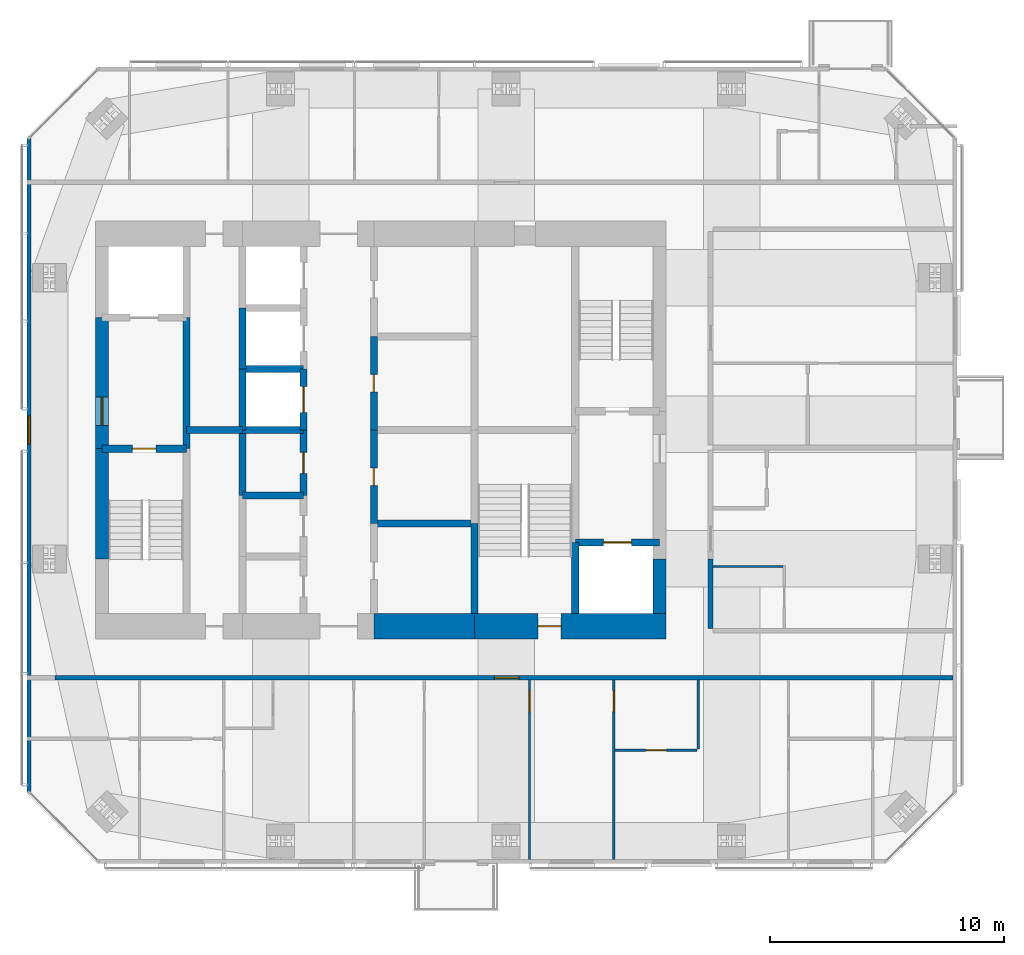
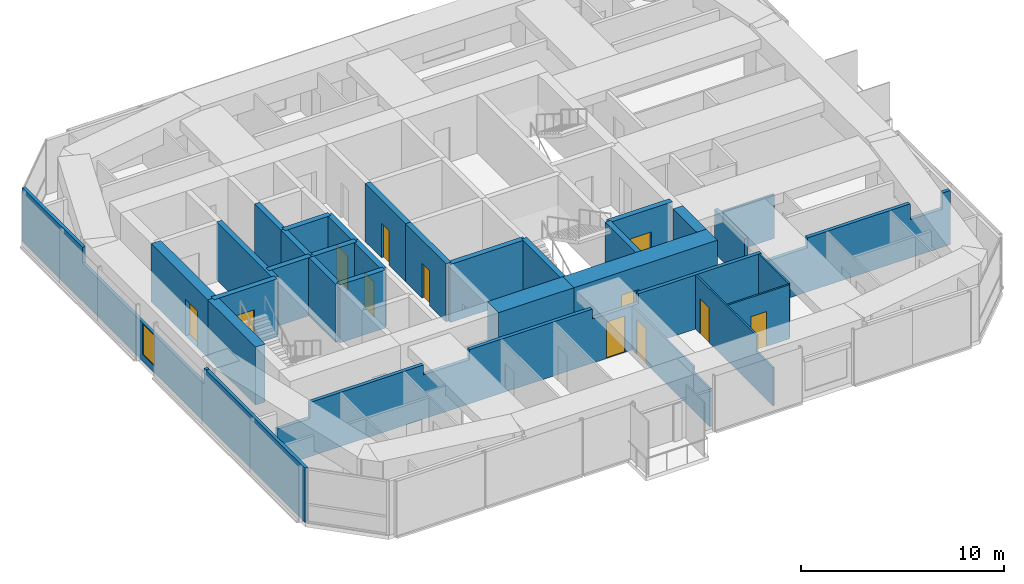
# One storey, part 14 of 18: 30 walls, 12 doors, 1 window, 13 openings.
"""IFC4 building model written with IfcOpenShell, lengths in metres."""

from ifc_helpers import new_model, si_unit, direction, frame, frame_2d, origin, place, context, subcontext, project, spatial, polyline, rectangle, outline, extrude, material, layer, layer_set, constituent, constituent_set, type_object, element, fill, save


model = new_model("IFC4")

# Units and contexts
model_context = context("Model", 3, precision=1e-05, world=origin(), true_north=direction((0.0, 1.0)))
body_context = subcontext(model_context, "Body", "Model", "MODEL_VIEW")
ifc_project = project(units=[si_unit("LENGTHUNIT", "METRE"), si_unit("AREAUNIT", "SQUARE_METRE"), si_unit("VOLUMEUNIT", "CUBIC_METRE"), si_unit("PLANEANGLEUNIT", "RADIAN"), si_unit("MASSUNIT", "GRAM", prefix="KILO")], contexts=[model_context])

# Site, building, storey
site_placement = place(None, origin())
site = spatial("IfcSite", under=ifc_project, at=site_placement, CompositionType="ELEMENT")
building_placement = place(site_placement, origin())
building = spatial("IfcBuilding", under=site, at=building_placement, Name="Jalousie Tower", CompositionType="ELEMENT")
storey_placement = place(building_placement, frame((0.0, 0.0, 256.449951171875)))
storey = spatial("IfcBuildingStorey", under=building, at=storey_placement, Name="L70", CompositionType="ELEMENT", Elevation=256.449951171875)

# Wall
ifc_material_1 = material(Name="Concrete f'c 120 MPa", Category="concrete")
ifc_layer_1 = layer(ifc_material_1, 1.10009765625)
ifc_layer_set_1 = layer_set([ifc_layer_1], Name="Concrete f'c 120 MPa")
wall_type_1 = type_object("IfcWallType", Name="CORE WALL 1100", PredefinedType="SHEAR", material=ifc_layer_set_1)
wall_1_placement = place(storey_placement, frame((31.60009765625, 10.125, 0.0), z_axis=(0.0, 0.0, 1.0), x_axis=(1.0, 0.0, 0.0)))
element("IfcWall", 1, at=wall_1_placement, inside=storey, type_object=wall_type_1, Name="Core wall SC L70", PredefinedType="SHEAR", context=body_context, shape_type="SweptSolid", body=[
    extrude(rectangle(XDim=4.2998046875, YDim=1.10009765625, at=frame_2d((2.14990234375, 0.0))), origin(), (0.0, 0.0, 1.0), 3.5),
])

# Wall, opening, door
wall_2_placement = place(storey_placement, frame((35.89990234375, 10.125, 0.0), z_axis=(0.0, 0.0, 1.0), x_axis=(1.0, 0.0, 0.0)))
wall_2 = element("IfcWall", 2, at=wall_2_placement, inside=storey, type_object=wall_type_1, Name="Core wall SD L70", PredefinedType="SHEAR", context=body_context, shape_type="SweptSolid", body=[
    extrude(rectangle(XDim=8.175048828125, YDim=1.10009765625, at=frame_2d((4.08740234375, 0.0))), origin(), (0.0, 0.0, 1.0), 3.5),
])
opening_1_placement = place(wall_2_placement, frame((2.699951171875, 0.0, 0.0)))
opening_1 = element("IfcOpeningElement", 3, at=opening_1_placement, cuts=wall_2, Name="Opening D10", PredefinedType="OPENING", context=body_context, shape_type="SweptSolid", body=[
    extrude(rectangle(XDim=1.0, YDim=2.10009765625, at=frame_2d((0.5, 1.050048828125))), frame((0.0, 0.56005859375, 0.0), z_axis=(0.0, -1.0, 0.0), x_axis=(1.0, 0.0, 0.0)), (0.0, 0.0, 1.0), 1.1201171875),
])
ifc_material_2 = material(Name="Steel fire door", Category="steel")
door_type_1 = type_object("IfcDoorType", Name="STAIR DOOR 1000", OperationType="SINGLE_SWING_LEFT", PredefinedType="DOOR", material=ifc_material_2)
door_1_placement = place(opening_1_placement, origin())
door_1 = element("IfcDoor", 4, at=door_1_placement, inside=storey, type_object=door_type_1, Name="Exit stair C door", OperationType="SINGLE_SWING_RIGHT", OverallHeight=2.10009765625, OverallWidth=1.0, PredefinedType="DOOR", context=body_context, shape_type="SweptSolid", body=[
    extrude(rectangle(XDim=1.0, YDim=2.10009765625, at=frame_2d((0.5, 1.050048828125))), frame((0.0, 0.02490234375, 0.0), z_axis=(0.0, -1.0, 0.0), x_axis=(1.0, 0.0, 0.0)), (0.0, 0.0, 1.0), 0.050048828125),
])
fill(opening_1, door_1)

# Walls
ifc_material_3 = material(Name="Concrete f'c 120 MPa", Category="concrete")
ifc_layer_2 = layer(ifc_material_3, 0.300048828125)
ifc_layer_set_2 = layer_set([ifc_layer_2], Name="Concrete f'c 120 MPa")
wall_type_2 = type_object("IfcWallType", Name="CORE WALL 300", PredefinedType="SHEAR", material=ifc_layer_set_2)
wall_3_placement = place(storey_placement, frame((23.60009765625, 17.699951171875, 0.0), z_axis=(0.0, 0.0, 1.0), x_axis=(0.0, 1.0, 0.0)))
element("IfcWall", 5, at=wall_3_placement, inside=storey, type_object=wall_type_2, Name="Core wall X23.6B L70", PredefinedType="SHEAR", context=body_context, shape_type="SweptSolid", body=[
    extrude(rectangle(XDim=5.60009765625, YDim=0.300048828125, at=frame_2d((2.800048828125, 0.0))), origin(), (0.0, 0.0, 1.0), 3.5),
])
wall_4_placement = place(storey_placement, frame((26.0, 15.699951171875, 0.0), z_axis=(0.0, 0.0, 1.0), x_axis=(0.0, 1.0, 0.0)))
element("IfcWall", 6, at=wall_4_placement, inside=storey, type_object=wall_type_2, Name="Core wall X26C L70", PredefinedType="SHEAR", context=body_context, shape_type="SweptSolid", body=[
    extrude(rectangle(XDim=2.800048828125, YDim=0.300048828125, at=frame_2d((1.39990234375, 0.0))), origin(), (0.0, 0.0, 1.0), 3.5),
])
wall_5_placement = place(storey_placement, frame((26.0, 18.5, 0.0), z_axis=(0.0, 0.0, 1.0), x_axis=(0.0, 1.0, 0.0)))
element("IfcWall", 7, at=wall_5_placement, inside=storey, type_object=wall_type_2, Name="Core wall X26D L70", PredefinedType="SHEAR", context=body_context, shape_type="SweptSolid", body=[
    extrude(rectangle(XDim=2.60009765625, YDim=0.300048828125, at=frame_2d((1.300048828125, 0.0))), origin(), (0.0, 0.0, 1.0), 3.5),
])
wall_6_placement = place(storey_placement, frame((26.0, 21.10009765625, 0.0), z_axis=(0.0, 0.0, 1.0), x_axis=(0.0, 1.0, 0.0)))
element("IfcWall", 8, at=wall_6_placement, inside=storey, type_object=wall_type_2, Name="Core wall X26E L70", PredefinedType="SHEAR", context=body_context, shape_type="SweptSolid", body=[
    extrude(rectangle(XDim=2.599853515625, YDim=0.300048828125, at=frame_2d((1.2998046875, 0.0))), origin(), (0.0, 0.0, 1.0), 3.5),
])

# Wall, opening, door
wall_7_placement = place(storey_placement, frame((28.60009765625, 15.699951171875, 0.0), z_axis=(0.0, 0.0, 1.0), x_axis=(0.0, 1.0, 0.0)))
wall_7 = element("IfcWall", 9, at=wall_7_placement, inside=storey, type_object=wall_type_2, Name="Core wall X28.6C L70", PredefinedType="SHEAR", context=body_context, shape_type="SweptSolid", body=[
    extrude(rectangle(XDim=2.800048828125, YDim=0.300048828125, at=frame_2d((1.39990234375, 0.0))), origin(), (0.0, 0.0, 1.0), 3.5),
])
opening_2_placement = place(wall_7_placement, frame((0.949951171875, 0.0, 0.0)))
opening_2 = element("IfcOpeningElement", 10, at=opening_2_placement, cuts=wall_7, Name="Opening D24", PredefinedType="OPENING", context=body_context, shape_type="SweptSolid", body=[
    extrude(rectangle(XDim=0.89990234375, YDim=2.10009765625, at=frame_2d((0.449951171875, 1.050048828125))), frame((0.0, 0.159912109375, 0.0), z_axis=(0.0, -1.0, 0.0), x_axis=(1.0, 0.0, 0.0)), (0.0, 0.0, 1.0), 0.320068359375),
])
ifc_material_4 = material(Name="Steel fire door", Category="steel")
door_type_2 = type_object("IfcDoorType", Name="CORE ROOM DOOR 900", OperationType="SINGLE_SWING_LEFT", PredefinedType="DOOR", material=ifc_material_4)
door_2_placement = place(opening_2_placement, origin())
door_2 = element("IfcDoor", 11, at=door_2_placement, inside=storey, type_object=door_type_2, Name="Linen store door", OperationType="SINGLE_SWING_LEFT", OverallHeight=2.10009765625, OverallWidth=0.89990234375, PredefinedType="DOOR", context=body_context, shape_type="SweptSolid", body=[
    extrude(rectangle(XDim=0.89990234375, YDim=2.10009765625, at=frame_2d((0.449951171875, 1.050048828125))), frame((0.0, 0.02490234375, 0.0), z_axis=(0.0, -1.0, 0.0), x_axis=(1.0, 0.0, 0.0)), (0.0, 0.0, 1.0), 0.050048828125),
])
fill(opening_2, door_2)

wall_8_placement = place(storey_placement, frame((28.60009765625, 18.5, 0.0), z_axis=(0.0, 0.0, 1.0), x_axis=(0.0, 1.0, 0.0)))
wall_8 = element("IfcWall", 12, at=wall_8_placement, inside=storey, type_object=wall_type_2, Name="Core wall X28.6D L70", PredefinedType="SHEAR", context=body_context, shape_type="SweptSolid", body=[
    extrude(rectangle(XDim=2.60009765625, YDim=0.300048828125, at=frame_2d((1.300048828125, 0.0))), origin(), (0.0, 0.0, 1.0), 3.5),
])
opening_3_placement = place(wall_8_placement, frame((0.75, 0.0, 0.0)))
opening_3 = element("IfcOpeningElement", 13, at=opening_3_placement, cuts=wall_8, Name="Opening LD1", PredefinedType="OPENING", context=body_context, shape_type="SweptSolid", body=[
    extrude(rectangle(XDim=1.10009765625, YDim=2.10009765625, at=frame_2d((0.550048828125, 1.050048828125))), frame((0.0, 0.159912109375, 0.0), z_axis=(0.0, -1.0, 0.0), x_axis=(1.0, 0.0, 0.0)), (0.0, 0.0, 1.0), 0.320068359375),
])
ifc_material_5 = material(Name="Steel lift landing door", Category="steel")
door_type_3 = type_object("IfcDoorType", Name="LIFT LANDING DOOR 1100", OperationType="SLIDING_TO_LEFT", PredefinedType="DOOR", material=ifc_material_5)
door_3_placement = place(opening_3_placement, origin())
door_3 = element("IfcDoor", 14, at=door_3_placement, inside=storey, type_object=door_type_3, Name="Lift P4 landing door", OperationType="SLIDING_TO_LEFT", OverallHeight=2.10009765625, OverallWidth=1.10009765625, PredefinedType="DOOR", context=body_context, shape_type="SweptSolid", body=[
    extrude(rectangle(XDim=1.10009765625, YDim=2.10009765625, at=frame_2d((0.550048828125, 1.050048828125))), frame((0.0, 0.02490234375, 0.0), z_axis=(0.0, -1.0, 0.0), x_axis=(1.0, 0.0, 0.0)), (0.0, 0.0, 1.0), 0.050048828125),
])
fill(opening_3, door_3)

wall_9_placement = place(storey_placement, frame((31.60009765625, 14.5, 0.0), z_axis=(0.0, 0.0, 1.0), x_axis=(0.0, 1.0, 0.0)))
wall_9 = element("IfcWall", 15, at=wall_9_placement, inside=storey, type_object=wall_type_2, Name="Core wall X31.6B L70", PredefinedType="SHEAR", context=body_context, shape_type="SweptSolid", body=[
    extrude(rectangle(XDim=4.0, YDim=0.300048828125, at=frame_2d((2.0, 0.0))), origin(), (0.0, 0.0, 1.0), 3.5),
])
opening_4_placement = place(wall_9_placement, frame((1.625, 0.0, 0.0)))
opening_4 = element("IfcOpeningElement", 16, at=opening_4_placement, cuts=wall_9, Name="Opening D16", PredefinedType="OPENING", context=body_context, shape_type="SweptSolid", body=[
    extrude(rectangle(XDim=0.75, YDim=2.10009765625, at=frame_2d((0.375, 1.050048828125))), frame((0.0, 0.159912109375, 0.0), z_axis=(0.0, -1.0, 0.0), x_axis=(1.0, 0.0, 0.0)), (0.0, 0.0, 1.0), 0.320068359375),
])
ifc_material_6 = material(Name="Steel fire door", Category="steel")
door_type_4 = type_object("IfcDoorType", Name="RISER DOOR 750", OperationType="SINGLE_SWING_LEFT", PredefinedType="DOOR", material=ifc_material_6)
door_4_placement = place(opening_4_placement, frame((0.75, 0.0, 0.0), z_axis=(0.0, 0.0, 1.0), x_axis=(-1.0, 0.0, 0.0)))
door_4 = element("IfcDoor", 17, at=door_4_placement, inside=storey, type_object=door_type_4, Name="Electrical Room door", OperationType="SINGLE_SWING_RIGHT", OverallHeight=2.10009765625, OverallWidth=0.75, PredefinedType="DOOR", context=body_context, shape_type="SweptSolid", body=[
    extrude(rectangle(XDim=0.75, YDim=2.10009765625, at=frame_2d((0.375, 1.050048828125))), frame((0.0, 0.02490234375, 0.0), z_axis=(0.0, -1.0, 0.0), x_axis=(1.0, 0.0, 0.0)), (0.0, 0.0, 1.0), 0.050048828125),
])
fill(opening_4, door_4)

wall_10_placement = place(storey_placement, frame((31.60009765625, 18.5, 0.0), z_axis=(0.0, 0.0, 1.0), x_axis=(0.0, 1.0, 0.0)))
wall_10 = element("IfcWall", 18, at=wall_10_placement, inside=storey, type_object=wall_type_2, Name="Core wall X31.6C L70", PredefinedType="SHEAR", context=body_context, shape_type="SweptSolid", body=[
    extrude(rectangle(XDim=4.0, YDim=0.300048828125, at=frame_2d((2.0, 0.0))), origin(), (0.0, 0.0, 1.0), 3.5),
])
opening_5_placement = place(wall_10_placement, frame((1.625, 0.0, 0.0)))
opening_5 = element("IfcOpeningElement", 19, at=opening_5_placement, cuts=wall_10, Name="Opening D16", PredefinedType="OPENING", context=body_context, shape_type="SweptSolid", body=[
    extrude(rectangle(XDim=0.75, YDim=2.10009765625, at=frame_2d((0.375, 1.050048828125))), frame((0.0, 0.159912109375, 0.0), z_axis=(0.0, -1.0, 0.0), x_axis=(1.0, 0.0, 0.0)), (0.0, 0.0, 1.0), 0.320068359375),
])
door_5_placement = place(opening_5_placement, frame((0.75, 0.0, 0.0), z_axis=(0.0, 0.0, 1.0), x_axis=(-1.0, 0.0, 0.0)))
door_5 = element("IfcDoor", 20, at=door_5_placement, inside=storey, type_object=door_type_4, Name="Telecom Room door", OperationType="SINGLE_SWING_RIGHT", OverallHeight=2.10009765625, OverallWidth=0.75, PredefinedType="DOOR", context=body_context, shape_type="SweptSolid", body=[
    extrude(rectangle(XDim=0.75, YDim=2.10009765625, at=frame_2d((0.375, 1.050048828125))), frame((0.0, 0.02490234375, 0.0), z_axis=(0.0, -1.0, 0.0), x_axis=(1.0, 0.0, 0.0)), (0.0, 0.0, 1.0), 0.050048828125),
])
fill(opening_5, door_5)

# Walls
wall_11_placement = place(storey_placement, frame((35.89990234375, 10.675048828125, 0.0), z_axis=(0.0, 0.0, 1.0), x_axis=(0.0, 1.0, 0.0)))
element("IfcWall", 21, at=wall_11_placement, inside=storey, type_object=wall_type_2, Name="Core wall X35.9A L70", PredefinedType="SHEAR", context=body_context, shape_type="SweptSolid", body=[
    extrude(rectangle(XDim=3.824951171875, YDim=0.300048828125, at=frame_2d((1.91259765625, 0.0))), origin(), (0.0, 0.0, 1.0), 3.5),
])
wall_12_placement = place(storey_placement, frame((40.199951171875, 10.675048828125, 0.0), z_axis=(0.0, 0.0, 1.0), x_axis=(0.0, 1.0, 0.0)))
element("IfcWall", 22, at=wall_12_placement, inside=storey, type_object=wall_type_2, Name="Core wall X40.2A L70", PredefinedType="SHEAR", context=body_context, shape_type="SweptSolid", body=[
    extrude(rectangle(XDim=3.02490234375, YDim=0.300048828125, at=frame_2d((1.512451171875, 0.0))), origin(), (0.0, 0.0, 1.0), 3.5),
])

# Wall, opening, door
wall_13_placement = place(storey_placement, frame((20.0, 17.699951171875, 0.0), z_axis=(0.0, 0.0, 1.0), x_axis=(1.0, 0.0, 0.0)))
wall_13 = element("IfcWall", 23, at=wall_13_placement, inside=storey, type_object=wall_type_2, Name="Core wall Y20-17.7 L70", PredefinedType="SHEAR", context=body_context, shape_type="SweptSolid", body=[
    extrude(rectangle(XDim=3.60009765625, YDim=0.300048828125, at=frame_2d((1.800048828125, 0.0))), origin(), (0.0, 0.0, 1.0), 3.5),
])
opening_6_placement = place(wall_13_placement, frame((1.300048828125, 0.0, 0.0)))
opening_6 = element("IfcOpeningElement", 24, at=opening_6_placement, cuts=wall_13, Name="Opening D10", PredefinedType="OPENING", context=body_context, shape_type="SweptSolid", body=[
    extrude(rectangle(XDim=1.0, YDim=2.10009765625, at=frame_2d((0.5, 1.050048828125))), frame((0.0, 0.159912109375, 0.0), z_axis=(0.0, -1.0, 0.0), x_axis=(1.0, 0.0, 0.0)), (0.0, 0.0, 1.0), 0.320068359375),
])
door_6_placement = place(opening_6_placement, frame((1.0, 0.0, 0.0), z_axis=(0.0, 0.0, 1.0), x_axis=(-1.0, 0.0, 0.0)))
door_6 = element("IfcDoor", 25, at=door_6_placement, inside=storey, type_object=door_type_1, Name="Exit stair A door", OperationType="SINGLE_SWING_RIGHT", OverallHeight=2.10009765625, OverallWidth=1.0, PredefinedType="DOOR", context=body_context, shape_type="SweptSolid", body=[
    extrude(rectangle(XDim=1.0, YDim=2.10009765625, at=frame_2d((0.5, 1.050048828125))), frame((0.0, 0.02490234375, 0.0), z_axis=(0.0, -1.0, 0.0), x_axis=(1.0, 0.0, 0.0)), (0.0, 0.0, 1.0), 0.050048828125),
])
fill(opening_6, door_6)

# Walls
wall_14_placement = place(storey_placement, frame((23.60009765625, 18.5, 0.0), z_axis=(0.0, 0.0, 1.0), x_axis=(1.0, 0.0, 0.0)))
element("IfcWall", 26, at=wall_14_placement, inside=storey, type_object=wall_type_2, Name="Core wall Y23.6-18.5 L70", PredefinedType="SHEAR", context=body_context, shape_type="SweptSolid", body=[
    extrude(rectangle(XDim=2.39990234375, YDim=0.300048828125, at=frame_2d((1.199951171875, 0.0))), origin(), (0.0, 0.0, 1.0), 3.5),
])
for number, where, z_axis, x_axis, name in (
    (27, (26.0, 15.699951171875, 0.0), (0.0, 0.0, 1.0), (1.0, 0.0, 0.0), "Core wall Y26-15.7 L70"),
    (28, (26.0, 18.5, 0.0), (0.0, 0.0, 1.0), (1.0, 0.0, 0.0), "Core wall Y26-18.5 L70"),
    (29, (26.0, 21.10009765625, 0.0), (0.0, 0.0, 1.0), (1.0, 0.0, 0.0), "Core wall Y26-21.1 L70"),
):
    element("IfcWall", number, at=place(storey_placement, frame(where, z_axis=z_axis, x_axis=x_axis)), inside=storey, type_object=wall_type_2, Name=name, PredefinedType="SHEAR", context=body_context, shape_type="SweptSolid", body=[
        extrude(rectangle(XDim=2.60009765625, YDim=0.300048828125, at=frame_2d((1.300048828125, 0.0))), origin(), (0.0, 0.0, 1.0), 3.5),
    ])
wall_15_placement = place(storey_placement, frame((31.60009765625, 14.5, 0.0), z_axis=(0.0, 0.0, 1.0), x_axis=(1.0, 0.0, 0.0)))
element("IfcWall", 30, at=wall_15_placement, inside=storey, type_object=wall_type_2, Name="Core wall Y31.6-14.5 L70", PredefinedType="SHEAR", context=body_context, shape_type="SweptSolid", body=[
    extrude(rectangle(XDim=4.2998046875, YDim=0.300048828125, at=frame_2d((2.14990234375, 0.0))), origin(), (0.0, 0.0, 1.0), 3.5),
])

# Wall, opening, door
wall_16_placement = place(storey_placement, frame((40.199951171875, 13.699951171875, 0.0), z_axis=(0.0, 0.0, 1.0), x_axis=(1.0, 0.0, 0.0)))
wall_16 = element("IfcWall", 31, at=wall_16_placement, inside=storey, type_object=wall_type_2, Name="Core wall Y40.2-13.7 L70", PredefinedType="SHEAR", context=body_context, shape_type="SweptSolid", body=[
    extrude(rectangle(XDim=3.60009765625, YDim=0.300048828125, at=frame_2d((1.800048828125, 0.0))), origin(), (0.0, 0.0, 1.0), 3.5),
])
opening_7_placement = place(wall_16_placement, frame((1.199951171875, 0.0, 0.0)))
opening_7 = element("IfcOpeningElement", 32, at=opening_7_placement, cuts=wall_16, Name="Opening LD2", PredefinedType="OPENING", context=body_context, shape_type="SweptSolid", body=[
    extrude(rectangle(XDim=1.199951171875, YDim=2.10009765625, at=frame_2d((0.60009765625, 1.050048828125))), frame((0.0, 0.159912109375, 0.0), z_axis=(0.0, -1.0, 0.0), x_axis=(1.0, 0.0, 0.0)), (0.0, 0.0, 1.0), 0.320068359375),
])
ifc_material_7 = material(Name="Steel lift landing door", Category="steel")
door_type_5 = type_object("IfcDoorType", Name="LIFT LANDING DOOR 1200", OperationType="SLIDING_TO_LEFT", PredefinedType="DOOR", material=ifc_material_7)
door_7_placement = place(opening_7_placement, origin())
door_7 = element("IfcDoor", 33, at=door_7_placement, inside=storey, type_object=door_type_5, Name="Lift F2 landing door", OperationType="SLIDING_TO_LEFT", OverallHeight=2.10009765625, OverallWidth=1.199951171875, PredefinedType="DOOR", context=body_context, shape_type="SweptSolid", body=[
    extrude(rectangle(XDim=1.199951171875, YDim=2.10009765625, at=frame_2d((0.60009765625, 1.050048828125))), frame((0.0, 0.02490234375, 0.0), z_axis=(0.0, -1.0, 0.0), x_axis=(1.0, 0.0, 0.0)), (0.0, 0.0, 1.0), 0.050048828125),
])
fill(opening_7, door_7)

ifc_material_8 = material(Name="Concrete f'c 120 MPa", Category="concrete")
ifc_layer_3 = layer(ifc_material_8, 0.550048828125)
ifc_layer_set_3 = layer_set([ifc_layer_3], Name="Concrete f'c 120 MPa")
wall_type_3 = type_object("IfcWallType", Name="CORE WALL 550", PredefinedType="SHEAR", material=ifc_layer_set_3)
wall_17_placement = place(storey_placement, frame((20.0, 23.300048828125, 0.0), z_axis=(0.0, 0.0, 1.0), x_axis=(0.0, -1.0, 0.0)))
wall_17 = element("IfcWall", 34, at=wall_17_placement, inside=storey, type_object=wall_type_3, Name="Core wall WB L70", PredefinedType="SHEAR", context=body_context, shape_type="SweptSolid", body=[
    extrude(rectangle(XDim=5.60009765625, YDim=0.550048828125, at=frame_2d((2.800048828125, 0.0))), origin(), (0.0, 0.0, 1.0), 3.5),
])
opening_8_placement = place(wall_17_placement, frame((3.39990234375, 0.0, 0.0)))
opening_8 = element("IfcOpeningElement", 35, at=opening_8_placement, cuts=wall_17, Name="Opening D11", PredefinedType="OPENING", context=body_context, shape_type="SweptSolid", body=[
    extrude(rectangle(XDim=1.199951171875, YDim=2.199951171875, at=frame_2d((0.60009765625, 1.10009765625))), frame((0.0, 0.284912109375, 0.0), z_axis=(0.0, -1.0, 0.0), x_axis=(1.0, 0.0, 0.0)), (0.0, 0.0, 1.0), 0.570068359375),
])
ifc_material_9 = material(Name="Steel fire door", Category="steel")
door_type_6 = type_object("IfcDoorType", Name="FIRE DOOR 1200", OperationType="SINGLE_SWING_LEFT", PredefinedType="DOOR", material=ifc_material_9)
door_8_placement = place(opening_8_placement, origin())
door_8 = element("IfcDoor", 36, at=door_8_placement, inside=storey, type_object=door_type_6, Name="Fire-fighting lobby A door", OperationType="SINGLE_SWING_RIGHT", OverallHeight=2.199951171875, OverallWidth=1.199951171875, PredefinedType="DOOR", context=body_context, shape_type="SweptSolid", body=[
    extrude(rectangle(XDim=1.199951171875, YDim=2.199951171875, at=frame_2d((0.60009765625, 1.10009765625))), frame((0.0, 0.02490234375, 0.0), z_axis=(0.0, -1.0, 0.0), x_axis=(1.0, 0.0, 0.0)), (0.0, 0.0, 1.0), 0.050048828125),
])
fill(opening_8, door_8)

# Walls
wall_18_placement = place(storey_placement, frame((20.0, 17.699951171875, 0.0), z_axis=(0.0, 0.0, 1.0), x_axis=(0.0, -1.0, 0.0)))
element("IfcWall", 37, at=wall_18_placement, inside=storey, type_object=wall_type_3, Name="Core wall WC L70", PredefinedType="SHEAR", context=body_context, shape_type="SweptSolid", body=[
    extrude(rectangle(XDim=4.699951171875, YDim=0.550048828125, at=frame_2d((2.35009765625, 0.0))), origin(), (0.0, 0.0, 1.0), 3.5),
])
wall_19_placement = place(storey_placement, frame((43.800048828125, 10.675048828125, 0.0), z_axis=(0.0, 0.0, 1.0), x_axis=(0.0, 1.0, 0.0)))
element("IfcWall", 38, at=wall_19_placement, inside=storey, type_object=wall_type_3, Name="Core wall EA L70", PredefinedType="SHEAR", context=body_context, shape_type="SweptSolid", body=[
    extrude(rectangle(XDim=2.324951171875, YDim=0.550048828125, at=frame_2d((1.16259765625, 0.0))), origin(), (0.0, 0.0, 1.0), 3.5),
])

# Wall, opening, door
ifc_material_10 = material(Name="Concrete block ASTM C90", Category="concrete")
ifc_constituent_1 = constituent(ifc_material_10, Name="Body")
ifc_material_11 = material(Name="Render")
ifc_constituent_2 = constituent(ifc_material_11, Name="Finish")
ifc_constituent_set_1 = constituent_set(constituents=[ifc_constituent_1, ifc_constituent_2])
wall_type_4 = type_object("IfcWallType", Name="CORRIDOR WALL 200", PredefinedType="PARTITIONING", material=ifc_constituent_set_1)
wall_20_placement = place(storey_placement, frame((18.0, 7.925048828125, 0.0), z_axis=(0.0, 0.0, 1.0), x_axis=(1.0, 0.0, 0.0)))
wall_20 = element("IfcWall", 39, at=wall_20_placement, inside=storey, type_object=wall_type_4, Name="Corridor Wall 200 L70", PredefinedType="PARTITIONING", context=body_context, shape_type="SweptSolid", body=[
    extrude(outline(polyline([(0.0, 0.0), (38.324951171875, 0.0), (38.324951171875, 3.260009765625), (37.875, 3.260009765625), (37.875, 2.300048828125), (36.042724609375, 2.300048828125), (36.042724609375, 3.260009765625), (30.18505859375, 3.260009765625), (30.18505859375, 2.66015625), (27.56494140625, 2.66015625), (27.56494140625, 3.260009765625), (20.56005859375, 3.260009765625), (20.56005859375, 2.66015625), (17.93994140625, 2.66015625), (17.93994140625, 3.260009765625), (10.93505859375, 3.260009765625), (10.93505859375, 2.66015625), (8.31494140625, 2.66015625), (8.31494140625, 3.260009765625), (1.838623046875, 3.260009765625), (1.838623046875, 2.300048828125), (0.0, 2.300048828125), (0.0, 3.260009765625), (0.0, 0.0)])), frame((0.0, 0.10009765625, 0.0), z_axis=(0.0, -1.0, 0.0), x_axis=(1.0, 0.0, 0.0)), (0.0, 0.0, 1.0), 0.199951171875),
])
opening_9_placement = place(wall_20_placement, frame((18.75, 0.0, 0.0)))
opening_9 = element("IfcOpeningElement", 40, at=opening_9_placement, cuts=wall_20, Name="Opening D1", PredefinedType="OPENING", context=body_context, shape_type="SweptSolid", body=[
    extrude(rectangle(XDim=1.050048828125, YDim=2.199951171875, at=frame_2d((0.52490234375, 1.10009765625))), frame((0.0, 0.10986328125, 0.0), z_axis=(0.0, -1.0, 0.0), x_axis=(1.0, 0.0, 0.0)), (0.0, 0.0, 1.0), 0.219970703125),
])
ifc_material_12 = material(Name="Timber fire door", Category="wood")
door_type_7 = type_object("IfcDoorType", Name="APARTMENT ENTRANCE DOOR 1050", OperationType="SINGLE_SWING_LEFT", PredefinedType="DOOR", material=ifc_material_12)
door_9_placement = place(opening_9_placement, frame((1.050048828125, 0.0, 0.0), z_axis=(0.0, 0.0, 1.0), x_axis=(-1.0, 0.0, 0.0)))
door_9 = element("IfcDoor", 41, at=door_9_placement, inside=storey, type_object=door_type_7, Name="Apartment 7001 entrance", OperationType="SINGLE_SWING_LEFT", OverallHeight=2.199951171875, OverallWidth=1.050048828125, PredefinedType="DOOR", context=body_context, shape_type="SweptSolid", body=[
    extrude(rectangle(XDim=1.050048828125, YDim=2.199951171875, at=frame_2d((0.52490234375, 1.10009765625))), frame((0.0, 0.02490234375, 0.0), z_axis=(0.0, -1.0, 0.0), x_axis=(1.0, 0.0, 0.0)), (0.0, 0.0, 1.0), 0.050048828125),
])
fill(opening_9, door_9)

# Wall
wall_21_placement = place(storey_placement, frame((45.97509765625, 10.02490234375, 0.0), z_axis=(0.0, 0.0, 1.0), x_axis=(0.0, 1.0, 0.0)))
element("IfcWall", 42, at=wall_21_placement, inside=storey, type_object=wall_type_4, Name="Corridor Wall 200 L70-A", PredefinedType="PARTITIONING", context=body_context, shape_type="SweptSolid", body=[
    extrude(rectangle(XDim=2.97509765625, YDim=0.199951171875, at=frame_2d((1.487548828125, 0.0))), origin(), (0.0, 0.0, 1.0), 2.66015625),
])

# Wall, opening, window
ifc_material_13 = material(Name="Concrete f'c 40 MPa", Category="concrete")
ifc_constituent_3 = constituent(ifc_material_13, Name="Body")
ifc_material_14 = material(Name="Render, pastel sky blue")
ifc_constituent_4 = constituent(ifc_material_14, Name="Finish")
ifc_constituent_set_2 = constituent_set(constituents=[ifc_constituent_3, ifc_constituent_4])
wall_type_5 = type_object("IfcWallType", Name="EXTERNAL WALL 175 SKY BLUE RENDER", PredefinedType="SOLIDWALL", material=ifc_constituent_set_2)
wall_22_placement = place(storey_placement, frame((16.887451171875, 30.94873046875, 0.0), z_axis=(0.0, 0.0, 1.0), x_axis=(0.0, -1.0, 0.0)))
wall_22 = element("IfcWall", 43, at=wall_22_placement, inside=storey, type_object=wall_type_5, Name="External Wall 175 Sky Blue Render L70", PredefinedType="SOLIDWALL", context=body_context, shape_type="SweptSolid", body=[
    extrude(outline(polyline([(0.0, 0.0), (27.8974609375, 0.0), (27.8974609375, 3.260009765625), (18.1484375, 3.260009765625), (18.1484375, 2.300048828125), (18.125, 2.300048828125), (18.125, 3.260009765625), (17.94873046875, 3.260009765625), (17.94873046875, 2.300048828125), (5.94873046875, 2.300048828125), (5.94873046875, 3.260009765625), (0.0, 3.260009765625), (0.0, 0.0)])), frame((0.0, 0.08740234375, 0.0), z_axis=(0.0, -1.0, 0.0), x_axis=(1.0, 0.0, 0.0)), (0.0, 0.0, 1.0), 0.175048828125),
])
opening_10_placement = place(wall_22_placement, frame((11.8486328125, 0.0, 0.39990234375)))
opening_10 = element("IfcOpeningElement", 44, at=opening_10_placement, cuts=wall_22, Name="Opening W-COR185", PredefinedType="OPENING", context=body_context, shape_type="SweptSolid", body=[
    extrude(rectangle(XDim=1.199951171875, YDim=1.85009765625, at=frame_2d((0.60009765625, 0.925048828125))), frame((0.0, 0.097412109375, 0.0), z_axis=(0.0, -1.0, 0.0), x_axis=(1.0, 0.0, 0.0)), (0.0, 0.0, 1.0), 0.195068359375),
])
ifc_material_15 = material(Name="Aluminium frame, impact-rated glazing", Category="aluminium")
window_type = type_object("IfcWindowType", Name="WINDOW COR 1200x1850", PartitioningType="SINGLE_PANEL", PredefinedType="WINDOW", material=ifc_material_15)
window_placement = place(opening_10_placement, origin())
window = element("IfcWindow", 45, at=window_placement, inside=storey, type_object=window_type, Name="Corridor window", OverallHeight=1.85009765625, OverallWidth=1.199951171875, PartitioningType="SINGLE_PANEL", PredefinedType="WINDOW", context=body_context, shape_type="SweptSolid", body=[
    extrude(rectangle(XDim=1.199951171875, YDim=1.85009765625, at=frame_2d((0.60009765625, 0.925048828125))), frame((0.0, 0.030029296875, 0.0), z_axis=(0.0, -1.0, 0.0), x_axis=(1.0, 0.0, 0.0)), (0.0, 0.0, 1.0), 0.06005859375),
])
fill(opening_10, window)

# Wall, opening, door
ifc_material_16 = material(Name="Gypsum board", Category="gypsum")
ifc_constituent_5 = constituent(ifc_material_16, Name="Body")
ifc_material_17 = material(Name="Light-gauge steel studs ASTM A653 SS Grade 33", Category="steel")
ifc_constituent_6 = constituent(ifc_material_17, Name="Framing")
ifc_constituent_set_3 = constituent_set(constituents=[ifc_constituent_5, ifc_constituent_6])
wall_type_6 = type_object("IfcWallType", Name="PARTITION 100", PredefinedType="PARTITIONING", material=ifc_constituent_set_3)
wall_23_placement = place(storey_placement, frame((38.25, 0.175048828125, 0.0), z_axis=(0.0, 0.0, 1.0), x_axis=(0.0, 1.0, 0.0)))
wall_23 = element("IfcWall", 46, at=wall_23_placement, inside=storey, type_object=wall_type_6, Name="Partition 100 L70", PredefinedType="PARTITIONING", context=body_context, shape_type="SweptSolid", body=[
    extrude(outline(polyline([(0.0, 0.0), (7.64990234375, 0.0), (7.64990234375, 3.260009765625), (7.64990234375, 2.66015625), (1.635009765625, 2.66015625), (1.635009765625, 2.300048828125), (0.0, 2.300048828125), (0.0, 3.260009765625), (0.0, 0.0)])), frame((0.0, 0.050048828125, 0.0), z_axis=(0.0, -1.0, 0.0), x_axis=(1.0, 0.0, 0.0)), (0.0, 0.0, 1.0), 0.10009765625),
])
opening_11_placement = place(wall_23_placement, frame((6.300048828125, 0.0, 0.0)))
opening_11 = element("IfcOpeningElement", 47, at=opening_11_placement, cuts=wall_23, Name="Opening D2", PredefinedType="OPENING", context=body_context, shape_type="SweptSolid", body=[
    extrude(rectangle(XDim=0.89990234375, YDim=2.10009765625, at=frame_2d((0.449951171875, 1.050048828125))), frame((0.0, 0.06005859375, 0.0), z_axis=(0.0, -1.0, 0.0), x_axis=(1.0, 0.0, 0.0)), (0.0, 0.0, 1.0), 0.1201171875),
])
ifc_material_18 = material(Name="Timber door", Category="wood")
door_type_8 = type_object("IfcDoorType", Name="BEDROOM DOOR 900", OperationType="SINGLE_SWING_LEFT", PredefinedType="DOOR", material=ifc_material_18)
door_10_placement = place(opening_11_placement, origin())
door_10 = element("IfcDoor", 48, at=door_10_placement, inside=storey, type_object=door_type_8, Name="Apartment 7001 snug door", OperationType="SINGLE_SWING_RIGHT", OverallHeight=2.10009765625, OverallWidth=0.89990234375, PredefinedType="DOOR", context=body_context, shape_type="SweptSolid", body=[
    extrude(rectangle(XDim=0.89990234375, YDim=2.10009765625, at=frame_2d((0.449951171875, 1.050048828125))), frame((0.0, 0.02490234375, 0.0), z_axis=(0.0, -1.0, 0.0), x_axis=(1.0, 0.0, 0.0)), (0.0, 0.0, 1.0), 0.050048828125),
])
fill(opening_11, door_10)

wall_24_placement = place(storey_placement, frame((41.85009765625, 0.175048828125, 0.0), z_axis=(0.0, 0.0, 1.0), x_axis=(0.0, 1.0, 0.0)))
wall_24 = element("IfcWall", 49, at=wall_24_placement, inside=storey, type_object=wall_type_6, Name="Partition 100 L70", PredefinedType="PARTITIONING", context=body_context, shape_type="SweptSolid", body=[
    extrude(outline(polyline([(0.0, 0.0), (7.64990234375, 0.0), (7.64990234375, 3.260009765625), (1.635009765625, 3.260009765625), (1.635009765625, 2.300048828125), (0.0, 2.300048828125), (0.0, 3.260009765625), (0.0, 0.0)])), frame((0.0, 0.050048828125, 0.0), z_axis=(0.0, -1.0, 0.0), x_axis=(1.0, 0.0, 0.0)), (0.0, 0.0, 1.0), 0.10009765625),
])
opening_12_placement = place(wall_24_placement, frame((6.300048828125, 0.0, 0.0)))
opening_12 = element("IfcOpeningElement", 50, at=opening_12_placement, cuts=wall_24, Name="Opening D2", PredefinedType="OPENING", context=body_context, shape_type="SweptSolid", body=[
    extrude(rectangle(XDim=0.89990234375, YDim=2.10009765625, at=frame_2d((0.449951171875, 1.050048828125))), frame((0.0, 0.06005859375, 0.0), z_axis=(0.0, -1.0, 0.0), x_axis=(1.0, 0.0, 0.0)), (0.0, 0.0, 1.0), 0.1201171875),
])
door_11_placement = place(opening_12_placement, origin())
door_11 = element("IfcDoor", 51, at=door_11_placement, inside=storey, type_object=door_type_8, Name="Apartment 7001 den door", OperationType="SINGLE_SWING_RIGHT", OverallHeight=2.10009765625, OverallWidth=0.89990234375, PredefinedType="DOOR", context=body_context, shape_type="SweptSolid", body=[
    extrude(rectangle(XDim=0.89990234375, YDim=2.10009765625, at=frame_2d((0.449951171875, 1.050048828125))), frame((0.0, 0.02490234375, 0.0), z_axis=(0.0, -1.0, 0.0), x_axis=(1.0, 0.0, 0.0)), (0.0, 0.0, 1.0), 0.050048828125),
])
fill(opening_12, door_11)

wall_25_placement = place(storey_placement, frame((41.89990234375, 4.824951171875, 0.0), z_axis=(0.0, 0.0, 1.0), x_axis=(1.0, 0.0, 0.0)))
wall_25 = element("IfcWall", 52, at=wall_25_placement, inside=storey, type_object=wall_type_6, Name="Partition 100 L70", PredefinedType="PARTITIONING", context=body_context, shape_type="SweptSolid", body=[
    extrude(rectangle(XDim=3.5, YDim=0.10009765625, at=frame_2d((1.75, 0.0))), origin(), (0.0, 0.0, 1.0), 3.260009765625),
])
opening_13_placement = place(wall_25_placement, frame((1.300048828125, 0.0, 0.0)))
opening_13 = element("IfcOpeningElement", 53, at=opening_13_placement, cuts=wall_25, Name="Opening D7", PredefinedType="OPENING", context=body_context, shape_type="SweptSolid", body=[
    extrude(rectangle(XDim=0.89990234375, YDim=2.10009765625, at=frame_2d((0.449951171875, 1.050048828125))), frame((0.0, 0.06005859375, 0.0), z_axis=(0.0, -1.0, 0.0), x_axis=(1.0, 0.0, 0.0)), (0.0, 0.0, 1.0), 0.1201171875),
])
ifc_material_19 = material(Name="Timber door", Category="wood")
door_type_9 = type_object("IfcDoorType", Name="INTERNAL DOOR 900", OperationType="SINGLE_SWING_LEFT", PredefinedType="DOOR", material=ifc_material_19)
door_12_placement = place(opening_13_placement, frame((0.89990234375, 0.0, 0.0), z_axis=(0.0, 0.0, 1.0), x_axis=(-1.0, 0.0, 0.0)))
door_12 = element("IfcDoor", 54, at=door_12_placement, inside=storey, type_object=door_type_9, Name="Apartment 7001 kitchen door", OperationType="SINGLE_SWING_RIGHT", OverallHeight=2.10009765625, OverallWidth=0.89990234375, PredefinedType="DOOR", context=body_context, shape_type="SweptSolid", body=[
    extrude(rectangle(XDim=0.89990234375, YDim=2.10009765625, at=frame_2d((0.449951171875, 1.050048828125))), frame((0.0, 0.02490234375, 0.0), z_axis=(0.0, -1.0, 0.0), x_axis=(1.0, 0.0, 0.0)), (0.0, 0.0, 1.0), 0.050048828125),
])
fill(opening_13, door_12)

# Walls
wall_26_placement = place(storey_placement, frame((45.449951171875, 4.875, 0.0), z_axis=(0.0, 0.0, 1.0), x_axis=(0.0, 1.0, 0.0)))
element("IfcWall", 55, at=wall_26_placement, inside=storey, type_object=wall_type_6, Name="Partition 100 L70", PredefinedType="PARTITIONING", context=body_context, shape_type="SweptSolid", body=[
    extrude(rectangle(XDim=2.949951171875, YDim=0.10009765625, at=frame_2d((1.47509765625, 0.0))), origin(), (0.0, 0.0, 1.0), 3.260009765625),
])
wall_27_placement = place(storey_placement, frame((46.074951171875, 12.675048828125, 0.0), z_axis=(0.0, 0.0, 1.0), x_axis=(1.0, 0.0, 0.0)))
element("IfcWall", 56, at=wall_27_placement, inside=storey, type_object=wall_type_6, Name="Partition 100 L70", PredefinedType="PARTITIONING", context=body_context, shape_type="SweptSolid", body=[
    extrude(outline(polyline([(0.0, 0.0), (3.0, 0.0), (3.0, 3.260009765625), (3.0, 2.66015625), (2.06005859375, 2.66015625), (0.0, 2.66015625), (0.0, 3.260009765625), (0.0, 0.0)])), frame((0.0, 0.050048828125, 0.0), z_axis=(0.0, -1.0, 0.0), x_axis=(1.0, 0.0, 0.0)), (0.0, 0.0, 1.0), 0.10009765625),
])

save(model, "model.ifc")
